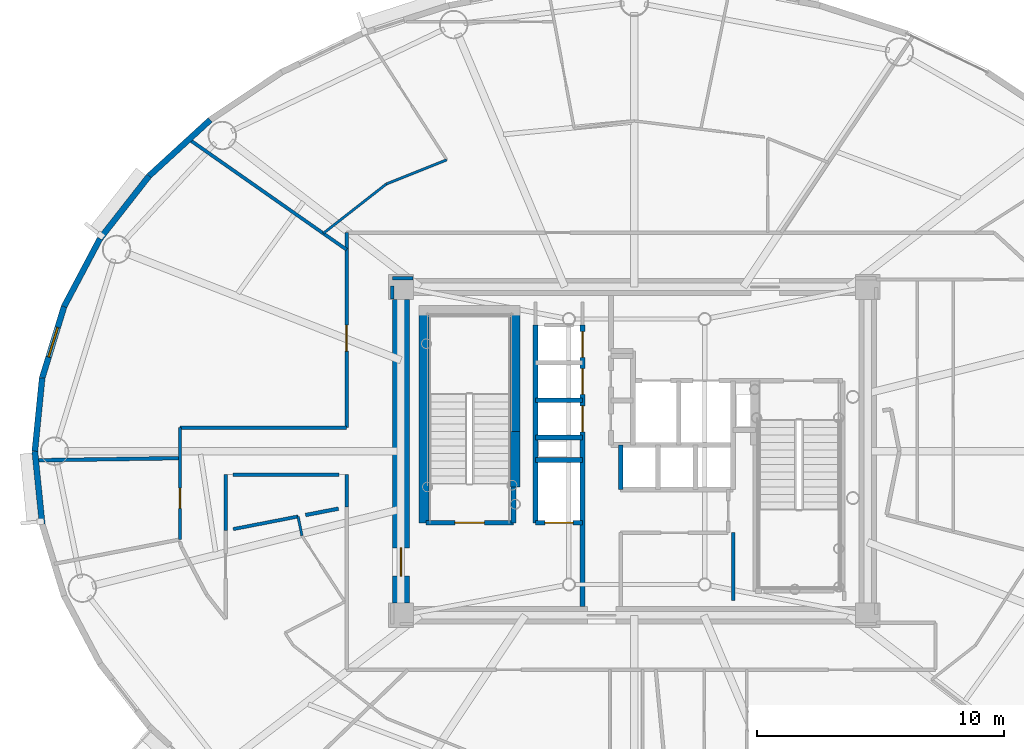
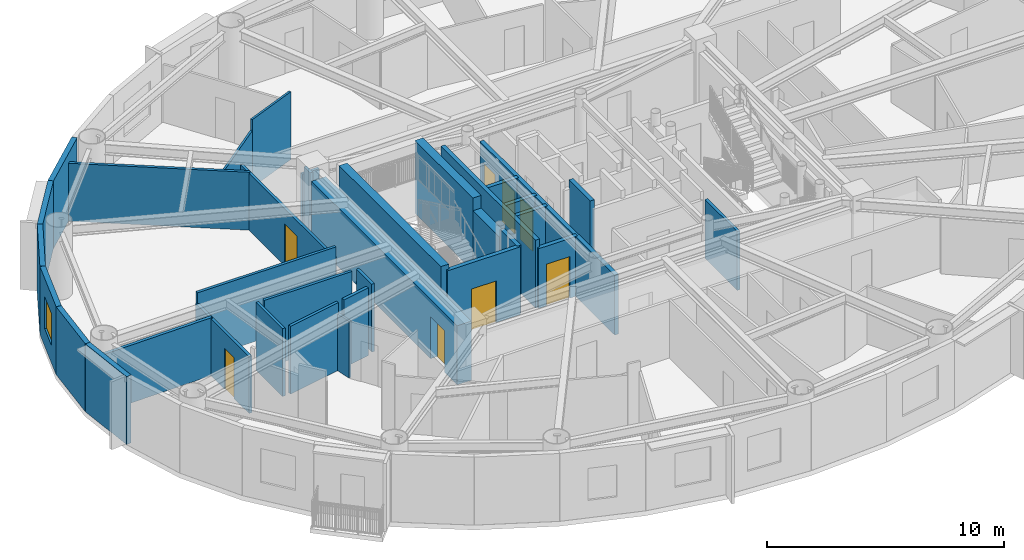
# One storey, part 7 of 16: 35 walls, 8 doors, 1 window, 9 openings.
"""IFC4 building model written with IfcOpenShell, lengths in metres."""

import ifcopenshell
import ifcopenshell.guid

model = None  # the IFC model being written
_history = None  # IfcOwnerHistory: only IFC2X3 demands one
_inside = {}  # id of a spatial element -> (the spatial element, [elements in it])
_under = {}  # id of a project, library or spatial element -> (it, [spatial elements below it])
_declared = {}  # id of a project -> (the project, [libraries it declares])
_typed = {}  # id of a type object -> (the type object, [elements of that type])
_made_of = {}  # id of a material, layer set ... -> (it, [elements and type objects made of it])


def new_model(schema):
    """Start an empty IFC model of exactly this schema.

    Asked for "IFC4X3", IfcOpenShell would pick the latest addendum, in which some entities
    have other attributes; the version numbers below select the first issue.
    IFC2X3 requires an IfcOwnerHistory on every rooted entity: one is made here for all.
    """
    global model, _history
    if schema == "IFC4X3":
        model = ifcopenshell.file(schema_version=(4, 3, 0, 0))
    else:
        model = ifcopenshell.file(schema=schema)
    _inside.clear()
    _under.clear()
    _declared.clear()
    _typed.clear()
    _made_of.clear()
    _history = None
    if model.schema == "IFC2X3":
        org = make("IfcOrganization", Name="unknown")
        user = make(
            "IfcPersonAndOrganization",
            ThePerson=make("IfcPerson", FamilyName="unknown"),
            TheOrganization=org,
        )
        app = make(
            "IfcApplication",
            ApplicationDeveloper=org,
            Version="unknown",
            ApplicationFullName="unknown",
            ApplicationIdentifier="unknown",
        )
        _history = make(
            "IfcOwnerHistory",
            OwningUser=user,
            OwningApplication=app,
            ChangeAction="ADDED",
            CreationDate=0,
        )
    return model


def make(cls, **values):
    """One entity of the class cls with the attributes given. An attribute that is None is left unset."""
    return model.create_entity(
        cls, **{name: value for name, value in values.items() if value is not None}
    )


def rooted(cls, **values):
    """An entity with a GlobalId (a new one), such as an element, a storey or a relation."""
    return make(cls, GlobalId=ifcopenshell.guid.new(), OwnerHistory=_history, **values)


def si_unit(unit_type, name, prefix=None):
    """IfcSIUnit, for example si_unit("LENGTHUNIT", "METRE", prefix="MILLI")."""
    return make("IfcSIUnit", UnitType=unit_type, Prefix=prefix, Name=name)


def assignment(units):
    """IfcUnitAssignment: the units of a project."""
    return None if units is None else make("IfcUnitAssignment", Units=units)


def point(xyz):
    """IfcCartesianPoint."""
    return None if xyz is None else make("IfcCartesianPoint", Coordinates=xyz)


def direction(xyz):
    """IfcDirection."""
    return None if xyz is None else make("IfcDirection", DirectionRatios=xyz)


def frame(location, z_axis=None, x_axis=None):
    """IfcAxis2Placement3D, a coordinate frame: its origin and axes. An axis left out is left unset."""
    return make(
        "IfcAxis2Placement3D",
        Location=point(location),
        Axis=direction(z_axis),
        RefDirection=direction(x_axis),
    )


def frame_2d(location, x_axis=None):
    """IfcAxis2Placement2D, a coordinate frame in the plane: its origin and x axis."""
    return make(
        "IfcAxis2Placement2D", Location=point(location), RefDirection=direction(x_axis)
    )


def origin():
    """The frame at (0, 0, 0) with its axes left unset."""
    return frame((0.0, 0.0, 0.0))


def origin_2d():
    """The frame at (0, 0) in the plane with its x axis left unset."""
    return frame_2d((0.0, 0.0))


def place(relative_to, where):
    """IfcLocalPlacement: puts the frame where relative to a parent placement (None: the world)."""
    return make(
        "IfcLocalPlacement", PlacementRelTo=relative_to, RelativePlacement=where
    )


def context(
    kind, dimensions, precision=None, world=None, true_north=None, identifier=None
):
    """IfcGeometricRepresentationContext, for example the 3D "Model" context."""
    return make(
        "IfcGeometricRepresentationContext",
        ContextIdentifier=identifier,
        ContextType=kind,
        CoordinateSpaceDimension=dimensions,
        Precision=precision,
        WorldCoordinateSystem=world,
        TrueNorth=true_north,
    )


def subcontext(parent, identifier, kind, view, scale=None):
    """IfcGeometricRepresentationSubContext, for example "Body" below "Model"."""
    return make(
        "IfcGeometricRepresentationSubContext",
        ContextIdentifier=identifier,
        ContextType=kind,
        ParentContext=parent,
        TargetScale=scale,
        TargetView=view,
    )


def project(units=None, contexts=None):
    """IfcProject with its units and contexts."""
    return rooted(
        "IfcProject",
        Name="project",
        RepresentationContexts=contexts,
        UnitsInContext=assignment(units),
    )


def spatial(cls, under=None, at=None, **own):
    """A site, building, storey or space (cls), placed at a placement, below another one or the project."""
    s = rooted(cls, ObjectPlacement=at, **own)
    if under is not None:
        _under.setdefault(under.id(), (under, []))[1].append(s)
    return s


def profile(cls, at=None, kind="AREA", **sizes):
    """A parametric profile (cls). Its sizes go by their IFC names, for example OverallWidth=200.0."""
    return make(cls, ProfileType=kind, Position=at, **sizes)


def rectangle(**sizes):
    """IfcRectangleProfileDef."""
    return profile("IfcRectangleProfileDef", **sizes)


def extrude(swept, where, along, depth):
    """IfcExtrudedAreaSolid: the profile swept, set in the frame where, extruded along a direction by depth."""
    return make(
        "IfcExtrudedAreaSolid",
        SweptArea=swept,
        Position=where,
        ExtrudedDirection=direction(along),
        Depth=depth,
    )


def shape(context_of_items, identifier, shape_type, items):
    """IfcShapeRepresentation: the items that make up one representation, for example the "Body"."""
    return make(
        "IfcShapeRepresentation",
        ContextOfItems=context_of_items,
        RepresentationIdentifier=identifier,
        RepresentationType=shape_type,
        Items=items,
    )


def source(mapping_origin, context_of_items, identifier, shape_type, items):
    """IfcRepresentationMap: a shape defined once, which mapped items show again and again."""
    return make(
        "IfcRepresentationMap",
        MappingOrigin=mapping_origin,
        MappedRepresentation=shape(context_of_items, identifier, shape_type, items),
    )


def transform(
    local_origin,
    x_axis=None,
    y_axis=None,
    z_axis=None,
    scale=None,
    scale2=None,
    scale3=None,
    uniform=True,
):
    """IfcCartesianTransformationOperator3D, or its non-uniform kind. x_axis, y_axis, z_axis: its Axis1, 2, 3."""
    if uniform:
        return make(
            "IfcCartesianTransformationOperator3D",
            Axis1=direction(x_axis),
            Axis2=direction(y_axis),
            LocalOrigin=point(local_origin),
            Scale=scale,
            Axis3=direction(z_axis),
        )
    return make(
        "IfcCartesianTransformationOperator3DnonUniform",
        Axis1=direction(x_axis),
        Axis2=direction(y_axis),
        LocalOrigin=point(local_origin),
        Scale=scale,
        Axis3=direction(z_axis),
        Scale2=scale2,
        Scale3=scale3,
    )


def mapped(mapping_source, mapping_target):
    """IfcMappedItem: shows the shape of a source again, moved by a transform."""
    return make(
        "IfcMappedItem", MappingSource=mapping_source, MappingTarget=mapping_target
    )


def material(Name=None, Category=None):
    """IfcMaterial."""
    return make("IfcMaterial", Name=Name, Category=Category)


def layer(
    of_material, thickness, ventilated=None, Name=None, Category=None, Priority=None
):
    """IfcMaterialLayer: one layer of a wall or slab, of a material (None: an air gap)."""
    return make(
        "IfcMaterialLayer",
        Material=of_material,
        LayerThickness=thickness,
        IsVentilated=ventilated,
        Name=Name,
        Category=Category,
        Priority=Priority,
    )


def layer_set(layers, Name=None):
    """IfcMaterialLayerSet."""
    return make("IfcMaterialLayerSet", MaterialLayers=layers, LayerSetName=Name)


def made_of(thing, what):
    """Note that an element or type object is made of a material, layer set ...; save() writes the relation."""
    if what is not None:
        _made_of.setdefault(what.id(), (what, []))[1].append(thing)
    return thing


def type_object(cls, material=None, **own):
    """A type object (cls), such as IfcWallType, which elements share."""
    return made_of(rooted(cls, **own), material)


def element(
    cls,
    number,
    at=None,
    inside=None,
    cuts=None,
    type_object=None,
    material=None,
    context=None,
    identifier="Body",
    shape_type=None,
    held_by="IfcProductDefinitionShape",
    body=None,
    shapes=None,
    **own,
):
    """One element of the class cls, such as IfcWall. Its Tag is "e" and its number.

    at: its placement. inside: the storey or other place that contains it. cuts: it is an
    opening in that element (IfcRelVoidsElement). A single representation is given by context,
    identifier, shape_type and body (its items); several are given by shapes. held_by: the class
    of the entity that holds the representations. save() writes the other relations.
    """
    e = rooted(cls, Tag="e%d" % number, ObjectPlacement=at, **own)
    if body is not None:
        shapes = [shape(context, identifier, shape_type, body)]
    if shapes is not None:
        e.Representation = make(held_by, Representations=shapes)
    if inside is not None:
        _inside.setdefault(inside.id(), (inside, []))[1].append(e)
    if cuts is not None:
        rooted(
            "IfcRelVoidsElement", RelatingBuildingElement=cuts, RelatedOpeningElement=e
        )
    if type_object is not None:
        _typed.setdefault(type_object.id(), (type_object, []))[1].append(e)
    return made_of(e, material)


def fill(opening, filler):
    """IfcRelFillsElement: the door or window that sits in an opening."""
    return rooted(
        "IfcRelFillsElement",
        RelatingOpeningElement=opening,
        RelatedBuildingElement=filler,
    )


def aggregate(whole, parts):
    """IfcRelAggregates: a whole, such as a stair, and the parts it consists of."""
    return rooted("IfcRelAggregates", RelatingObject=whole, RelatedObjects=parts)


def save(model, path):
    """Write the relations noted so far, then the file.

    IfcRelAggregates (storeys below a building ...), IfcRelContainedInSpatialStructure (elements
    in a storey), IfcRelDefinesByType, IfcRelAssociatesMaterial and IfcRelDeclares: one each for
    every whole, place, type object, material and project.
    """
    for whole, parts in _under.values():
        aggregate(whole, parts)
    for where, things in _inside.values():
        rooted(
            "IfcRelContainedInSpatialStructure",
            RelatedElements=things,
            RelatingStructure=where,
        )
    for kind, things in _typed.values():
        rooted("IfcRelDefinesByType", RelatedObjects=things, RelatingType=kind)
    for what, things in _made_of.values():
        rooted("IfcRelAssociatesMaterial", RelatedObjects=things, RelatingMaterial=what)
    for by, libraries in _declared.values():
        rooted("IfcRelDeclares", RelatingContext=by, RelatedDefinitions=libraries)
    model.write(path)


model = new_model("IFC4")

# Units and contexts
model_context = context("Model", 3, precision=1e-05, world=origin(), true_north=direction((0.0, 1.0)))
body_context = subcontext(model_context, "Body", "Model", "MODEL_VIEW")
ifc_project = project(units=[si_unit("LENGTHUNIT", "METRE"), si_unit("AREAUNIT", "SQUARE_METRE"), si_unit("VOLUMEUNIT", "CUBIC_METRE"), si_unit("PLANEANGLEUNIT", "RADIAN"), si_unit("MASSUNIT", "GRAM", prefix="KILO")], contexts=[model_context])

# Site, building, storey
site_placement = place(None, origin())
site = spatial("IfcSite", under=ifc_project, at=site_placement, CompositionType="ELEMENT")
building_placement = place(site_placement, origin())
building = spatial("IfcBuilding", under=site, at=building_placement, Name="Linh Dai School and Residence Tower", CompositionType="ELEMENT")
storey_placement = place(building_placement, frame((0.0, 0.0, 255.300048828125)))
storey = spatial("IfcBuildingStorey", under=building, at=storey_placement, Name="L63", CompositionType="ELEMENT", Elevation=255.300048828125)

# Walls
ifc_material_1 = material(Name="Precast Concrete B45 (C35/45)", Category="concrete")
ifc_layer_1 = layer(ifc_material_1, 0.239990234375)
ifc_layer_set_1 = layer_set([ifc_layer_1], Name="Precast Concrete B45 (C35/45)")
wall_type_1 = type_object("IfcWallType", Name="EW-TC-240", PredefinedType="SOLIDWALL", material=ifc_layer_set_1)
wall_1_placement = place(storey_placement, frame((16.3515625, 38.14453125, 0.0), z_axis=(0.0, 0.0, 1.0), x_axis=(0.737123922599, 0.675757591694, 0.0)))
element("IfcWall", 1, at=wall_1_placement, inside=storey, type_object=wall_type_1, Name="L63 Terracotta Exterior Wall 16", PredefinedType="SOLIDWALL", context=body_context, shape_type="SweptSolid", body=[
    extrude(rectangle(XDim=3.353759765625, YDim=0.239990234375, at=frame_2d((1.6767578125, 0.0))), origin(), (0.0, 0.0, 1.0), 3.5),
])
wall_2_placement = place(storey_placement, frame((14.3642578125, 35.605224609375, 0.0), z_axis=(0.0, 0.0, 1.0), x_axis=(0.616312344705, 0.787501805562, 0.0)))
element("IfcWall", 2, at=wall_2_placement, inside=storey, type_object=wall_type_1, Name="L63 Terracotta Exterior Wall 17", PredefinedType="SOLIDWALL", context=body_context, shape_type="SweptSolid", body=[
    extrude(rectangle(XDim=3.224609375, YDim=0.239990234375, at=frame_2d((1.6123046875, 0.0))), origin(), (0.0, 0.0, 1.0), 3.5),
])
wall_3_placement = place(storey_placement, frame((12.90966796875, 32.85595703125, 0.0), z_axis=(0.0, 0.0, 1.0), x_axis=(0.46766049993, 0.883908172157, 0.0)))
element("IfcWall", 3, at=wall_3_placement, inside=storey, type_object=wall_type_1, Name="L63 Terracotta Exterior Wall 18", PredefinedType="SOLIDWALL", context=body_context, shape_type="SweptSolid", body=[
    extrude(rectangle(XDim=3.1103515625, YDim=0.239990234375, at=frame_2d((1.55517578125, 0.0))), origin(), (0.0, 0.0, 1.0), 3.5),
])

# Wall, opening, window
wall_4_placement = place(storey_placement, frame((12.02294921875, 29.9638671875, 0.0), z_axis=(0.0, 0.0, 1.0), x_axis=(0.293132907334, 0.95607170162, 0.0)))
wall_4 = element("IfcWall", 4, at=wall_4_placement, inside=storey, type_object=wall_type_1, Name="L63 Terracotta Exterior Wall 19", PredefinedType="SOLIDWALL", context=body_context, shape_type="SweptSolid", body=[
    extrude(rectangle(XDim=3.02490234375, YDim=0.239990234375, at=frame_2d((1.512451171875, 0.0))), origin(), (0.0, 0.0, 1.0), 3.5),
])
opening_1_placement = place(wall_4_placement, frame((0.887451171875, 0.0, 0.89990234375)))
opening_1 = element("IfcOpeningElement", 5, at=opening_1_placement, cuts=wall_4, Name="Opening W3", PredefinedType="OPENING", context=body_context, shape_type="SweptSolid", body=[
    extrude(rectangle(XDim=1.25, YDim=1.64990234375, at=origin_2d()), frame((0.625, 0.1298828125, 0.824951171875), z_axis=(0.0, -1.0, 0.0), x_axis=(1.0, 0.0, 0.0)), (0.0, 0.0, 1.0), 0.260009765625),
])
ifc_material_2 = material(Name="Double Low-E Insulated Glazing", Category="glass")
window_type = type_object("IfcWindowType", Name="WN-RES-1250x1650", PartitioningType="SINGLE_PANEL", PredefinedType="WINDOW", material=ifc_material_2)
shared_shape_1 = source(origin(), body_context, "Body", "SweptSolid", [
    extrude(rectangle(XDim=1.25, YDim=1.64990234375, at=origin_2d()), frame((0.625, 0.030029296875, 0.824951171875), z_axis=(0.0, -1.0, 0.0), x_axis=(1.0, 0.0, 0.0)), (0.0, 0.0, 1.0), 0.06005859375),
])
window_placement = place(opening_1_placement, origin())
window = element("IfcWindow", 6, at=window_placement, inside=storey, type_object=window_type, Name="L63 Exterior Window 19.1", OverallHeight=1.64990234375, OverallWidth=1.25, PartitioningType="SINGLE_PANEL", PredefinedType="WINDOW", context=body_context, shape_type="MappedRepresentation", body=[
    mapped(shared_shape_1, transform((0.0, 0.0, 0.0), x_axis=(1.0, 0.0, 0.0), y_axis=(0.0, 1.0, 0.0), z_axis=(0.0, 0.0, 1.0), scale=1.0)),
])
fill(opening_1, window)

# Walls
for number, where, z_axis, x_axis, name in (
    (7, (11.72509765625, 27.0, 0.0), (0.0, 0.0, 1.0), (0.099990595253, 0.994988382274, 0.0), "L63 Terracotta Exterior Wall 20"),
    (8, (12.02294921875, 24.0361328125, 0.0), (0.0, 0.0, 1.0), (-0.099990595253, 0.994988382274, 0.0), "L63 Terracotta Exterior Wall 21"),
):
    element("IfcWall", number, at=place(storey_placement, frame(where, z_axis=z_axis, x_axis=x_axis)), inside=storey, type_object=wall_type_1, Name=name, PredefinedType="SOLIDWALL", context=body_context, shape_type="SweptSolid", body=[
        extrude(rectangle(XDim=2.978759765625, YDim=0.239990234375, at=frame_2d((1.4892578125, 0.0))), origin(), (0.0, 0.0, 1.0), 3.5),
    ])

# Wall, opening, door
ifc_material_3 = material(Name="Autoclaved Aerated Concrete Blockwork", Category="masonry")
ifc_layer_2 = layer(ifc_material_3, 0.135009765625)
ifc_layer_set_2 = layer_set([ifc_layer_2], Name="Autoclaved Aerated Concrete Blockwork")
wall_type_2 = type_object("IfcWallType", Name="IW-CORR-135-EI90", PredefinedType="PARTITIONING", material=ifc_layer_set_2)
wall_5_placement = place(storey_placement, frame((17.60009765625, 23.42333984375, 0.0), z_axis=(0.0, 0.0, 1.0), x_axis=(0.0, 1.0, 0.0)))
wall_5 = element("IfcWall", 9, at=wall_5_placement, inside=storey, type_object=wall_type_2, Name="L63 Interior Partition Wall 004", PredefinedType="PARTITIONING", context=body_context, shape_type="SweptSolid", body=[
    extrude(rectangle(XDim=4.526611328125, YDim=0.135009765625, at=frame_2d((2.26318359375, 0.0))), origin(), (0.0, 0.0, 1.0), 2.93505859375),
])
opening_2_placement = place(wall_5_placement, frame((1.257080078125, 0.0, 0.0)))
opening_2 = element("IfcOpeningElement", 10, at=opening_2_placement, cuts=wall_5, Name="Opening D06", PredefinedType="OPENING", context=body_context, shape_type="SweptSolid", body=[
    extrude(rectangle(XDim=0.820068359375, YDim=2.10009765625, at=origin_2d()), frame((0.41015625, 0.07763671875, 1.050048828125), z_axis=(0.0, -1.0, 0.0), x_axis=(1.0, 0.0, 0.0)), (0.0, 0.0, 1.0), 0.155029296875),
])
ifc_material_4 = material(Name="Moisture-Resistant Timber Bathroom Door", Category="wood")
door_type_1 = type_object("IfcDoorType", Name="DR-WET-820x2100", OperationType="NOTDEFINED", PredefinedType="DOOR", material=ifc_material_4)
shared_shape_2 = source(origin(), body_context, "Body", "SweptSolid", [
    extrude(rectangle(XDim=0.820068359375, YDim=2.10009765625, at=origin_2d()), frame((0.41015625, 0.02490234375, 1.050048828125), z_axis=(0.0, -1.0, 0.0), x_axis=(1.0, 0.0, 0.0)), (0.0, 0.0, 1.0), 0.050048828125),
])
door_1_placement = place(opening_2_placement, origin())
door_1 = element("IfcDoor", 11, at=door_1_placement, inside=storey, type_object=door_type_1, Name="L63 Amenity Accessible WC Door", OperationType="SINGLE_SWING_LEFT", OverallHeight=2.10009765625, OverallWidth=0.820068359375, PredefinedType="DOOR", context=body_context, shape_type="MappedRepresentation", body=[
    mapped(shared_shape_2, transform((0.0, 0.0, 0.0), x_axis=(1.0, 0.0, 0.0), y_axis=(0.0, 1.0, 0.0), z_axis=(0.0, 0.0, 1.0), scale=1.0)),
])
fill(opening_2, door_1)

# Walls
wall_6_placement = place(storey_placement, frame((17.60009765625, 27.949951171875, 0.0), z_axis=(0.0, 0.0, 1.0), x_axis=(1.0, 0.0, 0.0)))
element("IfcWall", 12, at=wall_6_placement, inside=storey, type_object=wall_type_2, Name="L63 Interior Partition Wall 005", PredefinedType="PARTITIONING", context=body_context, shape_type="SweptSolid", body=[
    extrude(rectangle(XDim=6.75, YDim=0.135009765625, at=frame_2d((3.375, 0.0))), origin(), (0.0, 0.0, 1.0), 3.5),
])
wall_7_placement = place(storey_placement, frame((17.963623046875, 39.629150390625, 0.0), z_axis=(0.0, 0.0, 1.0), x_axis=(0.819162769896, -0.573561118292, 0.0)))
element("IfcWall", 13, at=wall_7_placement, inside=storey, type_object=wall_type_2, Name="L63 Interior Partition Wall 007", PredefinedType="PARTITIONING", context=body_context, shape_type="SweptSolid", body=[
    extrude(rectangle(XDim=7.79638671875, YDim=0.135009765625, at=frame_2d((3.898193359375, 0.0))), origin(), (0.0, 0.0, 1.0), 2.98486328125),
])

# Wall, opening, door
wall_8_placement = place(storey_placement, frame((24.35009765625, 27.949951171875, 0.0), z_axis=(0.0, 0.0, 1.0), x_axis=(0.0, 1.0, 0.0)))
wall_8 = element("IfcWall", 14, at=wall_8_placement, inside=storey, type_object=wall_type_2, Name="L63 Interior Partition Wall 019", PredefinedType="PARTITIONING", context=body_context, shape_type="SweptSolid", body=[
    extrude(rectangle(XDim=7.900146484375, YDim=0.135009765625, at=frame_2d((3.9501953125, 0.0))), origin(), (0.0, 0.0, 1.0), 2.93505859375),
])
opening_3_placement = place(wall_8_placement, frame((3.0986328125, 0.0, 0.0)))
opening_3 = element("IfcOpeningElement", 15, at=opening_3_placement, cuts=wall_8, Name="Opening D04", PredefinedType="OPENING", context=body_context, shape_type="SweptSolid", body=[
    extrude(rectangle(XDim=1.050048828125, YDim=2.14990234375, at=origin_2d()), frame((0.52490234375, 0.07763671875, 1.074951171875), z_axis=(0.0, -1.0, 0.0), x_axis=(1.0, 0.0, 0.0)), (0.0, 0.0, 1.0), 0.155029296875),
])
ifc_material_5 = material(Name="Acoustic Vision-Panel Timber Classroom Door", Category="wood")
door_type_2 = type_object("IfcDoorType", Name="DR-SCH-1050x2150-FD60S", OperationType="NOTDEFINED", PredefinedType="DOOR", material=ifc_material_5)
shared_shape_3 = source(origin(), body_context, "Body", "SweptSolid", [
    extrude(rectangle(XDim=1.050048828125, YDim=2.14990234375, at=origin_2d()), frame((0.52490234375, 0.02490234375, 1.074951171875), z_axis=(0.0, -1.0, 0.0), x_axis=(1.0, 0.0, 0.0)), (0.0, 0.0, 1.0), 0.050048828125),
])
door_2_placement = place(opening_3_placement, origin())
door_2 = element("IfcDoor", 16, at=door_2_placement, inside=storey, type_object=door_type_2, Name="L63 Quiet Study Library Door", OperationType="SINGLE_SWING_RIGHT", OverallHeight=2.14990234375, OverallWidth=1.050048828125, PredefinedType="DOOR", context=body_context, shape_type="MappedRepresentation", body=[
    mapped(shared_shape_3, transform((0.0, 0.0, 0.0), x_axis=(1.0, 0.0, 0.0), y_axis=(0.0, 1.0, 0.0), z_axis=(0.0, 0.0, 1.0), scale=1.0)),
])
fill(opening_3, door_2)

# Walls
wall_9_placement = place(storey_placement, frame((40.0, 23.699951171875, 0.0), z_axis=(0.0, 0.0, 1.0), x_axis=(0.0, -1.0, 0.0)))
element("IfcWall", 17, at=wall_9_placement, inside=storey, type_object=wall_type_2, Name="L63 Interior Partition Wall 090", PredefinedType="PARTITIONING", context=body_context, shape_type="SweptSolid", body=[
    extrude(rectangle(XDim=2.739990234375, YDim=0.135009765625, at=frame_2d((1.3701171875, 0.0))), origin(), (0.0, 0.0, 1.0), 3.034912109375),
])
wall_10_placement = place(storey_placement, frame((19.449951171875, 26.050048828125, 0.0), z_axis=(0.0, 0.0, 1.0), x_axis=(0.0, -1.0, 0.0)))
element("IfcWall", 18, at=wall_10_placement, inside=storey, type_object=wall_type_2, Name="L63 Interior Partition Wall 094", PredefinedType="PARTITIONING", context=body_context, shape_type="SweptSolid", body=[
    extrude(rectangle(XDim=2.257080078125, YDim=0.135009765625, at=frame_2d((1.12841796875, 0.0))), origin(), (0.0, 0.0, 1.0), 3.5),
])
wall_11_placement = place(storey_placement, frame((27.0400390625, 34.0, 0.0), z_axis=(0.0, 0.0, 1.0), x_axis=(-1.0, 0.0, 0.0)))
element("IfcWall", 19, at=wall_11_placement, inside=storey, type_object=wall_type_2, Name="L63 Interior Partition Wall 096", PredefinedType="PARTITIONING", context=body_context, shape_type="SweptSolid", body=[
    extrude(rectangle(XDim=0.840087890625, YDim=0.135009765625, at=frame_2d((0.419921875, 0.0))), origin(), (0.0, 0.0, 1.0), 2.93505859375),
])
wall_12_placement = place(storey_placement, frame((26.199951171875, 33.6923828125, 0.0), z_axis=(0.0, 0.0, 1.0), x_axis=(0.0, -1.0, 0.0)))
element("IfcWall", 20, at=wall_12_placement, inside=storey, type_object=wall_type_2, Name="L63 Interior Partition Wall 097", PredefinedType="PARTITIONING", context=body_context, shape_type="SweptSolid", body=[
    extrude(rectangle(XDim=0.532470703125, YDim=0.135009765625, at=frame_2d((0.26611328125, 0.0))), origin(), (0.0, 0.0, 1.0), 3.5),
])
wall_13_placement = place(storey_placement, frame((24.35009765625, 24.745361328125, 0.0), z_axis=(0.0, 0.0, 1.0), x_axis=(0.0, 1.0, 0.0)))
element("IfcWall", 21, at=wall_13_placement, inside=storey, type_object=wall_type_2, Name="L63 Interior Partition Wall 101", PredefinedType="PARTITIONING", context=body_context, shape_type="SweptSolid", body=[
    extrude(rectangle(XDim=1.3046875, YDim=0.135009765625, at=frame_2d((0.65234375, 0.0))), origin(), (0.0, 0.0, 1.0), 3.5),
])
wall_14_placement = place(storey_placement, frame((24.04248046875, 26.050048828125, 0.0), z_axis=(0.0, 0.0, 1.0), x_axis=(-1.0, 0.0, 0.0)))
element("IfcWall", 22, at=wall_14_placement, inside=storey, type_object=wall_type_2, Name="L63 Interior Partition Wall 102", PredefinedType="PARTITIONING", context=body_context, shape_type="SweptSolid", body=[
    extrude(rectangle(XDim=4.284912109375, YDim=0.135009765625, at=frame_2d((2.142578125, 0.0))), origin(), (0.0, 0.0, 1.0), 3.5),
])
wall_15_placement = place(storey_placement, frame((19.757568359375, 23.8427734375, 0.0), z_axis=(0.0, 0.0, 1.0), x_axis=(0.98161966457, 0.190847672582, 0.0)))
element("IfcWall", 23, at=wall_15_placement, inside=storey, type_object=wall_type_2, Name="L63 Interior Partition Wall 104", PredefinedType="PARTITIONING", context=body_context, shape_type="SweptSolid", body=[
    extrude(rectangle(XDim=2.6748046875, YDim=0.135009765625, at=frame_2d((1.33740234375, 0.0))), origin(), (0.0, 0.0, 1.0), 3.5),
])
ifc_layer_3 = layer(ifc_material_3, 0.14990234375)
ifc_layer_set_3 = layer_set([ifc_layer_3], Name="Autoclaved Aerated Concrete Blockwork")
wall_type_3 = type_object("IfcWallType", Name="IW-SCH-150-EI60", PredefinedType="PARTITIONING", material=ifc_layer_set_3)
wall_16_placement = place(storey_placement, frame((11.75732421875, 26.627685546875, 0.0), z_axis=(0.0, 0.0, 1.0), x_axis=(0.999882437841, 0.015333313333, 0.0)))
element("IfcWall", 24, at=wall_16_placement, inside=storey, type_object=wall_type_3, Name="L63 Interior Partition Wall 001", PredefinedType="PARTITIONING", context=body_context, shape_type="SweptSolid", body=[
    extrude(rectangle(XDim=5.843505859375, YDim=0.14990234375, at=frame_2d((2.921875, 0.0))), origin(), (0.0, 0.0, 1.0), 2.98486328125),
])
wall_17_placement = place(storey_placement, frame((22.687744140625, 24.412353515625, 0.0), z_axis=(0.0, 0.0, 1.0), x_axis=(0.981616324133, 0.19086485322, 0.0)))
element("IfcWall", 25, at=wall_17_placement, inside=storey, type_object=wall_type_3, Name="L63 Interior Partition Wall 103", PredefinedType="PARTITIONING", context=body_context, shape_type="SweptSolid", body=[
    extrude(rectangle(XDim=1.359619140625, YDim=0.14990234375, at=frame_2d((0.6796875, 0.0))), origin(), (0.0, 0.0, 1.0), 3.5),
])

# Wall, opening, door
ifc_material_6 = material(Name="Concrete B45 (C35/45)", Category="concrete")
ifc_layer_4 = layer(ifc_material_6, 0.199951171875)
ifc_layer_set_4 = layer_set([ifc_layer_4], Name="Concrete B45 (C35/45)")
wall_type_4 = type_object("IfcWallType", Name="IW-SHAFT-200-EI120", PredefinedType="PARTITIONING", material=ifc_layer_set_4)
wall_18_placement = place(storey_placement, frame((27.56005859375, 24.10009765625, 0.0), z_axis=(0.0, 0.0, 1.0), x_axis=(1.0, 0.0, 0.0)))
wall_18 = element("IfcWall", 26, at=wall_18_placement, inside=storey, type_object=wall_type_4, Name="L63 Interior Partition Wall 025", PredefinedType="PARTITIONING", context=body_context, shape_type="SweptSolid", body=[
    extrude(rectangle(XDim=3.5400390625, YDim=0.199951171875, at=frame_2d((1.77001953125, 0.0))), origin(), (0.0, 0.0, 1.0), 3.5),
])
opening_4_placement = place(wall_18_placement, frame((1.169921875, 0.0, 0.0)))
opening_4 = element("IfcOpeningElement", 27, at=opening_4_placement, cuts=wall_18, Name="Opening D01", PredefinedType="OPENING", context=body_context, shape_type="SweptSolid", body=[
    extrude(rectangle(XDim=1.199951171875, YDim=2.14990234375, at=origin_2d()), frame((0.60009765625, 0.10986328125, 1.074951171875), z_axis=(0.0, -1.0, 0.0), x_axis=(1.0, 0.0, 0.0)), (0.0, 0.0, 1.0), 0.219970703125),
])
ifc_material_7 = material(Name="Fire-Rated Steel Door Leaf", Category="steel")
door_type_3 = type_object("IfcDoorType", Name="DR-STAIR-1200x2150-FD90S", OperationType="NOTDEFINED", PredefinedType="DOOR", material=ifc_material_7)
shared_shape_4 = source(origin(), body_context, "Body", "SweptSolid", [
    extrude(rectangle(XDim=1.199951171875, YDim=2.14990234375, at=origin_2d()), frame((0.60009765625, 0.02490234375, 1.074951171875), z_axis=(0.0, -1.0, 0.0), x_axis=(1.0, 0.0, 0.0)), (0.0, 0.0, 1.0), 0.050048828125),
])
door_3_placement = place(opening_4_placement, origin())
door_3 = element("IfcDoor", 28, at=door_3_placement, inside=storey, type_object=door_type_3, Name="L63 Core Smokeproof Exit Stair ST1 Door", OperationType="SINGLE_SWING_RIGHT", OverallHeight=2.14990234375, OverallWidth=1.199951171875, PredefinedType="DOOR", context=body_context, shape_type="MappedRepresentation", body=[
    mapped(shared_shape_4, transform((0.0, 0.0, 0.0), x_axis=(1.0, 0.0, 0.0), y_axis=(0.0, 1.0, 0.0), z_axis=(0.0, 0.0, 1.0), scale=1.0)),
])
fill(opening_4, door_3)

# Walls
wall_19_placement = place(storey_placement, frame((31.10009765625, 24.10009765625, 0.0), z_axis=(0.0, 0.0, 1.0), x_axis=(0.0, 1.0, 0.0)))
element("IfcWall", 29, at=wall_19_placement, inside=storey, type_object=wall_type_4, Name="L63 Interior Partition Wall 028", PredefinedType="PARTITIONING", context=body_context, shape_type="SweptSolid", body=[
    extrude(rectangle(XDim=1.43994140625, YDim=0.199951171875, at=frame_2d((0.719970703125, 0.0))), origin(), (0.0, 0.0, 1.0), 3.5),
])
wall_20_placement = place(storey_placement, frame((32.0, 24.10009765625, 0.0), z_axis=(0.0, 0.0, 1.0), x_axis=(0.0, 1.0, 0.0)))
element("IfcWall", 30, at=wall_20_placement, inside=storey, type_object=wall_type_4, Name="L63 Interior Partition Wall 029", PredefinedType="PARTITIONING", context=body_context, shape_type="SweptSolid", body=[
    extrude(rectangle(XDim=8.0, YDim=0.199951171875, at=frame_2d((4.0, 0.0))), origin(), (0.0, 0.0, 1.0), 3.5),
])

# Wall, opening, door
wall_21_placement = place(storey_placement, frame((32.0, 24.10009765625, 0.0), z_axis=(0.0, 0.0, 1.0), x_axis=(1.0, 0.0, 0.0)))
wall_21 = element("IfcWall", 31, at=wall_21_placement, inside=storey, type_object=wall_type_4, Name="L63 Interior Partition Wall 030", PredefinedType="PARTITIONING", context=body_context, shape_type="SweptSolid", body=[
    extrude(rectangle(XDim=1.89990234375, YDim=0.199951171875, at=frame_2d((0.949951171875, 0.0))), origin(), (0.0, 0.0, 1.0), 3.0849609375),
])
opening_5_placement = place(wall_21_placement, frame((0.375, 0.0, 0.0)))
opening_5 = element("IfcOpeningElement", 32, at=opening_5_placement, cuts=wall_21, Name="Opening LD-FF2", PredefinedType="OPENING", context=body_context, shape_type="SweptSolid", body=[
    extrude(rectangle(XDim=1.14990234375, YDim=2.14990234375, at=origin_2d()), frame((0.574951171875, 0.10986328125, 1.074951171875), z_axis=(0.0, -1.0, 0.0), x_axis=(1.0, 0.0, 0.0)), (0.0, 0.0, 1.0), 0.219970703125),
])
ifc_material_8 = material(Name="Fire-Rated Stainless Steel Firefighting Lift Door", Category="steel")
door_type_4 = type_object("IfcDoorType", Name="DR-LD-FF-1150x2150-FD120", OperationType="DOUBLE_DOOR_SLIDING", PredefinedType="USERDEFINED", material=ifc_material_8)
shared_shape_5 = source(origin(), body_context, "Body", "SweptSolid", [
    extrude(rectangle(XDim=1.14990234375, YDim=2.14990234375, at=origin_2d()), frame((0.574951171875, 0.02490234375, 1.074951171875), z_axis=(0.0, -1.0, 0.0), x_axis=(1.0, 0.0, 0.0)), (0.0, 0.0, 1.0), 0.050048828125),
])
door_4_placement = place(opening_5_placement, origin())
door_4 = element("IfcDoor", 33, at=door_4_placement, inside=storey, type_object=door_type_4, Name="L63 Lift FF2 Sliding Landing Door", ObjectType="LANDING DOOR", OperationType="DOUBLE_DOOR_SLIDING", OverallHeight=2.14990234375, OverallWidth=1.14990234375, PredefinedType="USERDEFINED", context=body_context, shape_type="MappedRepresentation", body=[
    mapped(shared_shape_5, transform((0.0, 0.0, 0.0), x_axis=(1.0, 0.0, 0.0), y_axis=(0.0, 1.0, 0.0), z_axis=(0.0, 0.0, 1.0), scale=1.0)),
])
fill(opening_5, door_4)

# Walls
for number, where, z_axis, x_axis, name in (
    (34, (32.0, 26.64990234375, 0.0), (0.0, 0.0, 1.0), (1.0, 0.0, 0.0), "L63 Interior Partition Wall 031"),
    (35, (32.0, 27.550048828125, 0.0), (0.0, 0.0, 1.0), (1.0, 0.0, 0.0), "L63 Interior Partition Wall 032"),
    (36, (32.0, 29.06005859375, 0.0), (0.0, 0.0, 1.0), (1.0, 0.0, 0.0), "L63 Interior Partition Wall 033"),
):
    element("IfcWall", number, at=place(storey_placement, frame(where, z_axis=z_axis, x_axis=x_axis)), inside=storey, type_object=wall_type_4, Name=name, PredefinedType="PARTITIONING", context=body_context, shape_type="SweptSolid", body=[
        extrude(rectangle(XDim=1.89990234375, YDim=0.199951171875, at=frame_2d((0.949951171875, 0.0))), origin(), (0.0, 0.0, 1.0), 3.0849609375),
    ])

# Wall, openings, doors
wall_22_placement = place(storey_placement, frame((33.89990234375, 20.699951171875, 0.0), z_axis=(0.0, 0.0, 1.0), x_axis=(0.0, 1.0, 0.0)))
wall_22 = element("IfcWall", 37, at=wall_22_placement, inside=storey, type_object=wall_type_4, Name="L63 Interior Partition Wall 037", PredefinedType="PARTITIONING", context=body_context, shape_type="SweptSolid", body=[
    extrude(rectangle(XDim=11.400146484375, YDim=0.199951171875, at=frame_2d((5.7001953125, 0.0))), origin(), (0.0, 0.0, 1.0), 3.0849609375),
])
opening_6_placement = place(wall_22_placement, frame((7.080078125, 0.0, 0.0)))
opening_6 = element("IfcOpeningElement", 38, at=opening_6_placement, cuts=wall_22, Name="Opening LD-PL4", PredefinedType="OPENING", context=body_context, shape_type="SweptSolid", body=[
    extrude(rectangle(XDim=1.050048828125, YDim=2.14990234375, at=origin_2d()), frame((0.52490234375, 0.10986328125, 1.074951171875), z_axis=(0.0, -1.0, 0.0), x_axis=(1.0, 0.0, 0.0)), (0.0, 0.0, 1.0), 0.219970703125),
])
opening_7_placement = place(wall_22_placement, frame((8.594970703125, 0.0, 0.0)))
opening_7 = element("IfcOpeningElement", 39, at=opening_7_placement, cuts=wall_22, Name="Opening LD-PL5", PredefinedType="OPENING", context=body_context, shape_type="SweptSolid", body=[
    extrude(rectangle(XDim=1.050048828125, YDim=2.14990234375, at=origin_2d()), frame((0.52490234375, 0.10986328125, 1.074951171875), z_axis=(0.0, -1.0, 0.0), x_axis=(1.0, 0.0, 0.0)), (0.0, 0.0, 1.0), 0.219970703125),
])
opening_8_placement = place(wall_22_placement, frame((10.094970703125, 0.0, 0.0)))
opening_8 = element("IfcOpeningElement", 40, at=opening_8_placement, cuts=wall_22, Name="Opening LD-PL6", PredefinedType="OPENING", context=body_context, shape_type="SweptSolid", body=[
    extrude(rectangle(XDim=1.050048828125, YDim=2.14990234375, at=origin_2d()), frame((0.52490234375, 0.10986328125, 1.074951171875), z_axis=(0.0, -1.0, 0.0), x_axis=(1.0, 0.0, 0.0)), (0.0, 0.0, 1.0), 0.219970703125),
])
ifc_material_9 = material(Name="Brushed Stainless Steel Lift Landing Door", Category="steel")
door_type_5 = type_object("IfcDoorType", Name="DR-LD-PASS-1050x2150", OperationType="DOUBLE_DOOR_SLIDING", PredefinedType="USERDEFINED", material=ifc_material_9)
shared_shape_6 = source(origin(), body_context, "Body", "SweptSolid", [
    extrude(rectangle(XDim=1.050048828125, YDim=2.14990234375, at=origin_2d()), frame((0.52490234375, 0.02490234375, 1.074951171875), z_axis=(0.0, -1.0, 0.0), x_axis=(1.0, 0.0, 0.0)), (0.0, 0.0, 1.0), 0.050048828125),
])
door_5_placement = place(opening_6_placement, origin())
door_5 = element("IfcDoor", 41, at=door_5_placement, inside=storey, type_object=door_type_5, Name="L63 Lift PL4 Sliding Landing Door", ObjectType="LANDING DOOR", OperationType="DOUBLE_DOOR_SLIDING", OverallHeight=2.14990234375, OverallWidth=1.050048828125, PredefinedType="USERDEFINED", context=body_context, shape_type="MappedRepresentation", body=[
    mapped(shared_shape_6, transform((0.0, 0.0, 0.0), x_axis=(1.0, 0.0, 0.0), y_axis=(0.0, 1.0, 0.0), z_axis=(0.0, 0.0, 1.0), scale=1.0)),
])
fill(opening_6, door_5)
door_6_placement = place(opening_7_placement, origin())
door_6 = element("IfcDoor", 42, at=door_6_placement, inside=storey, type_object=door_type_5, Name="L63 Lift PL5 Sliding Landing Door", ObjectType="LANDING DOOR", OperationType="DOUBLE_DOOR_SLIDING", OverallHeight=2.14990234375, OverallWidth=1.050048828125, PredefinedType="USERDEFINED", context=body_context, shape_type="MappedRepresentation", body=[
    mapped(shared_shape_6, transform((0.0, 0.0, 0.0), x_axis=(1.0, 0.0, 0.0), y_axis=(0.0, 1.0, 0.0), z_axis=(0.0, 0.0, 1.0), scale=1.0)),
])
fill(opening_7, door_6)
door_7_placement = place(opening_8_placement, origin())
door_7 = element("IfcDoor", 43, at=door_7_placement, inside=storey, type_object=door_type_5, Name="L63 Lift PL6 Sliding Landing Door", ObjectType="LANDING DOOR", OperationType="DOUBLE_DOOR_SLIDING", OverallHeight=2.14990234375, OverallWidth=1.050048828125, PredefinedType="USERDEFINED", context=body_context, shape_type="MappedRepresentation", body=[
    mapped(shared_shape_6, transform((0.0, 0.0, 0.0), x_axis=(1.0, 0.0, 0.0), y_axis=(0.0, 1.0, 0.0), z_axis=(0.0, 0.0, 1.0), scale=1.0)),
])
fill(opening_8, door_7)

# Walls
wall_23_placement = place(storey_placement, frame((35.449951171875, 25.449951171875, 0.0), z_axis=(0.0, 0.0, 1.0), x_axis=(0.0, 1.0, 0.0)))
element("IfcWall", 44, at=wall_23_placement, inside=storey, type_object=wall_type_4, Name="L63 Interior Partition Wall 047", PredefinedType="PARTITIONING", context=body_context, shape_type="SweptSolid", body=[
    extrude(rectangle(XDim=1.800048828125, YDim=0.199951171875, at=frame_2d((0.89990234375, 0.0))), origin(), (0.0, 0.0, 1.0), 3.5),
])
ifc_material_10 = material(Name="Gypsum Plasterboard Acoustic Stud Partition", Category="masonry")
ifc_layer_5 = layer(ifc_material_10, 0.10009765625)
ifc_layer_set_5 = layer_set([ifc_layer_5], Name="Gypsum Plasterboard Acoustic Stud Partition")
wall_type_5 = type_object("IfcWallType", Name="IW-UNIT-100", PredefinedType="PARTITIONING", material=ifc_layer_set_5)
wall_24_placement = place(storey_placement, frame((22.38330078125, 24.353271484375, 0.0), z_axis=(0.0, 0.0, 1.0), x_axis=(0.198542560358, -0.980092266946, 0.0)))
element("IfcWall", 45, at=wall_24_placement, inside=storey, type_object=wall_type_5, Name="L63 Interior Partition Wall 014", PredefinedType="PARTITIONING", context=body_context, shape_type="SweptSolid", body=[
    extrude(rectangle(XDim=0.793212890625, YDim=0.10009765625, at=frame_2d((0.396484375, 0.0))), origin(), (0.0, 0.0, 1.0), 2.93505859375),
])
wall_25_placement = place(storey_placement, frame((23.405517578125, 35.81884765625, 0.0), z_axis=(0.0, 0.0, 1.0), x_axis=(0.787387506959, 0.616458363465, 0.0)))
element("IfcWall", 46, at=wall_25_placement, inside=storey, type_object=wall_type_5, Name="L63 Interior Partition Wall 016", PredefinedType="PARTITIONING", context=body_context, shape_type="SweptSolid", body=[
    extrude(rectangle(XDim=3.2451171875, YDim=0.10009765625, at=frame_2d((1.62255859375, 0.0))), origin(), (0.0, 0.0, 1.0), 2.93505859375),
])
wall_26_placement = place(storey_placement, frame((25.960693359375, 37.8193359375, 0.0), z_axis=(0.0, 0.0, 1.0), x_axis=(0.928796141516, 0.370591051572, 0.0)))
element("IfcWall", 47, at=wall_26_placement, inside=storey, type_object=wall_type_5, Name="L63 Interior Partition Wall 023", PredefinedType="PARTITIONING", context=body_context, shape_type="SweptSolid", body=[
    extrude(rectangle(XDim=2.632568359375, YDim=0.10009765625, at=frame_2d((1.31640625, 0.0))), origin(), (0.0, 0.0, 1.0), 3.5),
])
ifc_layer_6 = layer(ifc_material_6, 0.39990234375)
ifc_layer_set_6 = layer_set([ifc_layer_6], Name="Concrete B45 (C35/45)")
wall_type_6 = type_object("IfcWallType", Name="WL-CORE400", PredefinedType="SHEAR", material=ifc_layer_set_6)
wall_27_placement = place(storey_placement, frame((27.47998046875, 24.10009765625, 0.0), z_axis=(0.0, 0.0, 1.0), x_axis=(0.0, 1.0, 0.0)))
element("IfcWall", 48, at=wall_27_placement, inside=storey, type_object=wall_type_6, Name="L63 Core Stair ST1 Bearing Wall W", PredefinedType="SHEAR", context=body_context, shape_type="SweptSolid", body=[
    extrude(rectangle(XDim=8.599853515625, YDim=0.39990234375, at=frame_2d((4.2998046875, 0.0))), origin(), (0.0, 0.0, 1.0), 3.75),
])
wall_28_placement = place(storey_placement, frame((31.179931640625, 27.800048828125, 0.0), z_axis=(0.0, 0.0, 1.0), x_axis=(0.0, 1.0, 0.0)))
element("IfcWall", 49, at=wall_28_placement, inside=storey, type_object=wall_type_6, Name="L63 Core Stair ST1 Bearing Wall E", PredefinedType="SHEAR", context=body_context, shape_type="SweptSolid", body=[
    extrude(rectangle(XDim=4.89990234375, YDim=0.39990234375, at=frame_2d((2.449951171875, 0.0))), origin(), (0.0, 0.0, 1.0), 3.75),
])
wall_29_placement = place(storey_placement, frame((31.179931640625, 25.550048828125, 0.0), z_axis=(0.0, 0.0, 1.0), x_axis=(0.0, 1.0, 0.0)))
element("IfcWall", 50, at=wall_29_placement, inside=storey, type_object=wall_type_6, Name="L63 Internal Core Shear Wall IW", PredefinedType="SHEAR", context=body_context, shape_type="SweptSolid", body=[
    extrude(rectangle(XDim=2.25, YDim=0.39990234375, at=frame_2d((1.125, 0.0))), origin(), (0.0, 0.0, 1.0), 3.099853515625),
])

# Wall, opening, door
ifc_layer_7 = layer(ifc_material_6, 0.699951171875)
ifc_layer_set_7 = layer_set([ifc_layer_7], Name="Concrete B45 (C35/45)")
wall_type_7 = type_object("IfcWallType", Name="WL-CORE700", PredefinedType="SHEAR", material=ifc_layer_set_7)
wall_30_placement = place(storey_placement, frame((26.550048828125, 20.85009765625, 0.0), z_axis=(0.0, 0.0, 1.0), x_axis=(0.0, 1.0, 0.0)))
wall_30 = element("IfcWall", 51, at=wall_30_placement, inside=storey, type_object=wall_type_7, Name="L63 Central Core Shear Wall W", PredefinedType="SHEAR", context=body_context, shape_type="SweptSolid", body=[
    extrude(rectangle(XDim=12.2998046875, YDim=0.699951171875, at=frame_2d((6.14990234375, 0.0))), origin(), (0.0, 0.0, 1.0), 3.050048828125),
])
opening_9_placement = place(wall_30_placement, frame((1.085205078125, 0.0, 0.0)))
opening_9 = element("IfcOpeningElement", 52, at=opening_9_placement, cuts=wall_30, Name="Opening D02", PredefinedType="OPENING", context=body_context, shape_type="SweptSolid", body=[
    extrude(rectangle(XDim=1.14990234375, YDim=2.14990234375, at=origin_2d()), frame((0.574951171875, 0.35986328125, 1.074951171875), z_axis=(0.0, -1.0, 0.0), x_axis=(1.0, 0.0, 0.0)), (0.0, 0.0, 1.0), 0.719970703125),
])
ifc_material_11 = material(Name="Fire-Rated Glazed Steel Lobby Door", Category="steel")
door_type_6 = type_object("IfcDoorType", Name="DR-LOBBY-1150x2150-FD90S", OperationType="NOTDEFINED", PredefinedType="DOOR", material=ifc_material_11)
shared_shape_7 = source(origin(), body_context, "Body", "SweptSolid", [
    extrude(rectangle(XDim=1.14990234375, YDim=2.14990234375, at=origin_2d()), frame((0.574951171875, 0.02490234375, 1.074951171875), z_axis=(0.0, -1.0, 0.0), x_axis=(1.0, 0.0, 0.0)), (0.0, 0.0, 1.0), 0.050048828125),
])
door_8_placement = place(opening_9_placement, origin())
door_8 = element("IfcDoor", 53, at=door_8_placement, inside=storey, type_object=door_type_6, Name="L63 Firefighting Lobby Door", OperationType="SINGLE_SWING_LEFT", OverallHeight=2.14990234375, OverallWidth=1.14990234375, PredefinedType="DOOR", context=body_context, shape_type="MappedRepresentation", body=[
    mapped(shared_shape_7, transform((0.0, 0.0, 0.0), x_axis=(1.0, 0.0, 0.0), y_axis=(0.0, 1.0, 0.0), z_axis=(0.0, 0.0, 1.0), scale=1.0)),
])
fill(opening_9, door_8)

save(model, "model.ifc")
